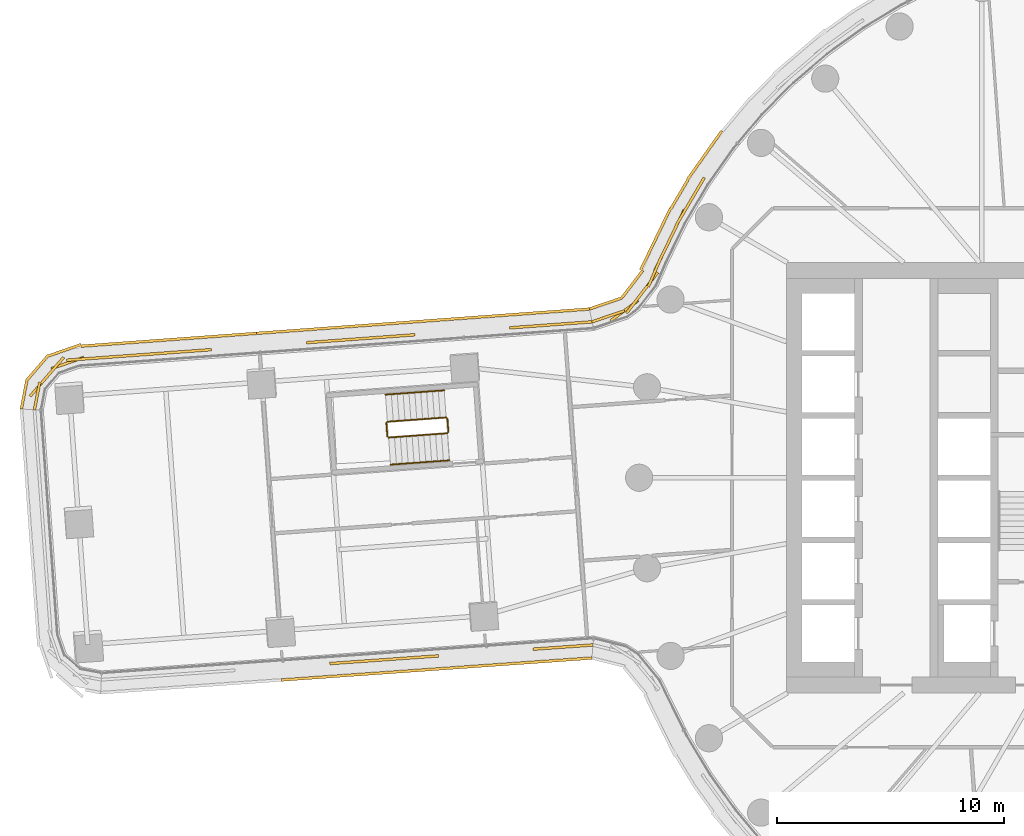
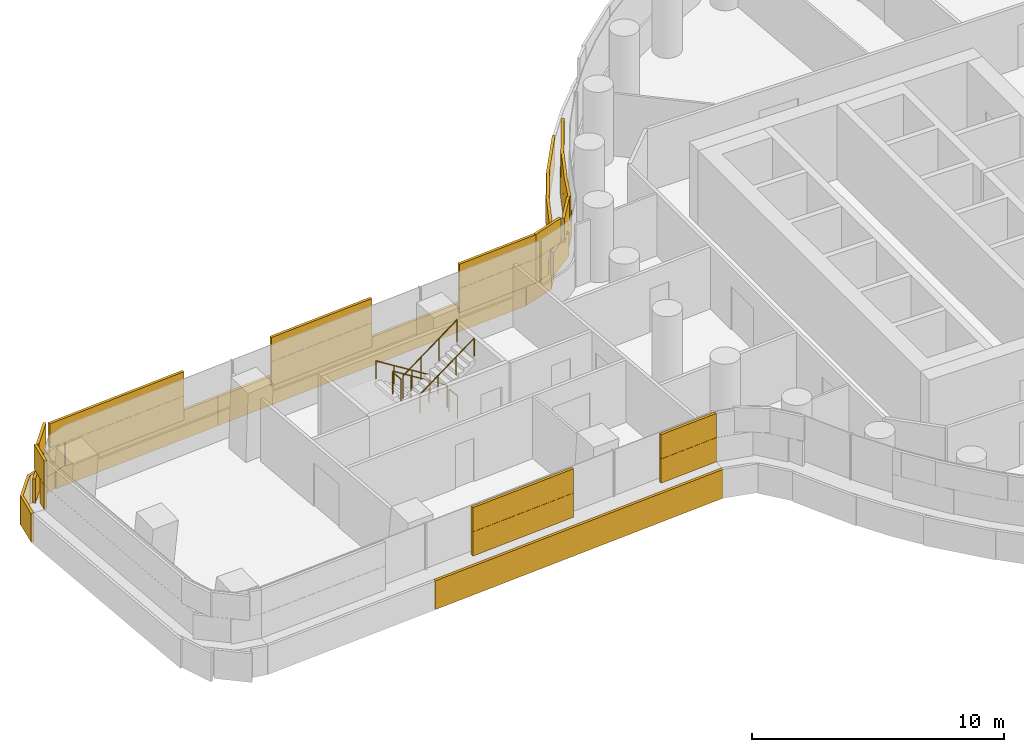
# One storey, part 27 of 31: 6 railings, 4 coverings.
"""IFC4 building model written with IfcOpenShell, lengths in metres."""

from ifc_helpers import new_model, si_unit, direction, frame, origin, origin_2d, place, context, subcontext, project, spatial, rectangle, circle, extrude, material, layer, layer_set, type_object, element, save


model = new_model("IFC4")

# Units and contexts
model_context = context("Model", 3, precision=1e-05, world=origin(), true_north=direction((0.0, 1.0)))
body_context = subcontext(model_context, "Body", "Model", "MODEL_VIEW")
ifc_project = project(units=[si_unit("LENGTHUNIT", "METRE"), si_unit("AREAUNIT", "SQUARE_METRE"), si_unit("VOLUMEUNIT", "CUBIC_METRE"), si_unit("PLANEANGLEUNIT", "RADIAN"), si_unit("MASSUNIT", "GRAM", prefix="KILO")], contexts=[model_context])

# Site, building, storey
site_placement = place(None, origin())
site = spatial("IfcSite", under=ifc_project, at=site_placement, CompositionType="ELEMENT")
building_placement = place(site_placement, origin())
building = spatial("IfcBuilding", under=site, at=building_placement, Name="Tamarind Cross Interchange Tower", CompositionType="ELEMENT")
storey_placement = place(building_placement, frame((0.0, 0.0, 49.0)))
storey = spatial("IfcBuildingStorey", under=building, at=storey_placement, Name="L10", CompositionType="ELEMENT", Elevation=49.0)

# Railings
ifc_material_1 = material(Name="Stair guard")
railing_type_1 = type_object("IfcRailingType", Name="Stair guard", PredefinedType="GUARDRAIL", material=ifc_material_1)
railing_1_placement = place(storey_placement, frame((-31.519287109375, 2.663330078125, 0.17041015625)))
element("IfcRailing", 1, at=railing_1_placement, inside=storey, type_object=railing_type_1, Name="L10 ST5 stair guard 1", PredefinedType="GUARDRAIL", context=body_context, shape_type="SweptSolid", body=[
    extrude(circle(Radius=0.02392578125, at=origin_2d()), frame((0.0, 0.0, 1.076171875), z_axis=(-0.834086614599, -0.060934966384, 0.548257648572), x_axis=(0.072861742749, -0.997342050875, 0.0)), (0.0, 0.0, 1.0), 3.109130859375),
    extrude(circle(Radius=0.02099609375, at=origin_2d()), origin(), (0.0, 0.0, 1.0), 1.052001953125),
    extrude(circle(Radius=0.02099609375, at=origin_2d()), frame((-0.864501953125, -0.063232421875, 0.568115234375)), (0.0, 0.0, 1.0), 1.052001953125),
    extrude(circle(Radius=0.02099609375, at=origin_2d()), frame((-1.728759765625, -0.126220703125, 1.136474609375)), (0.0, 0.0, 1.0), 1.052001953125),
    extrude(circle(Radius=0.02099609375, at=origin_2d()), frame((-2.59326171875, -0.189453125, 1.70458984375)), (0.0, 0.0, 1.0), 1.052001953125),
])
railing_2_placement = place(storey_placement, frame((-34.15869140625, 2.42041015625, 1.875)))
element("IfcRailing", 2, at=railing_2_placement, inside=storey, type_object=railing_type_1, Name="L10 ST5 stair guard 2", PredefinedType="GUARDRAIL", context=body_context, shape_type="SweptSolid", body=[
    extrude(circle(Radius=0.02392578125, at=origin_2d()), frame((0.0, 0.0, 1.076171875), z_axis=(0.072837431648, -0.997343826647, 0.0), x_axis=(0.997343826647, 0.072837431648, 0.0)), (0.0, 0.0, 1.0), 0.60009765625),
    extrude(circle(Radius=0.02099609375, at=origin_2d()), origin(), (0.0, 0.0, 1.0), 1.052001953125),
    extrude(circle(Radius=0.02099609375, at=origin_2d()), frame((0.043701171875, -0.598388671875, 0.0)), (0.0, 0.0, 1.0), 1.052001953125),
])
railing_3_placement = place(storey_placement, frame((-34.0615234375, 1.775634765625, 2.04541015625)))
element("IfcRailing", 3, at=railing_3_placement, inside=storey, type_object=railing_type_1, Name="L10 ST5 stair guard 3", PredefinedType="GUARDRAIL", context=body_context, shape_type="SweptSolid", body=[
    extrude(circle(Radius=0.02392578125, at=origin_2d()), frame((0.0, 0.0, 1.076171875), z_axis=(0.834062717302, 0.060938957596, 0.548293559194), x_axis=(-0.072868566483, 0.997341552337, 0.0)), (0.0, 0.0, 1.0), 3.10888671875),
    extrude(circle(Radius=0.02099609375, at=origin_2d()), origin(), (0.0, 0.0, 1.0), 1.052001953125),
    extrude(circle(Radius=0.02099609375, at=origin_2d()), frame((0.8642578125, 0.063232421875, 0.568115234375)), (0.0, 0.0, 1.0), 1.052001953125),
    extrude(circle(Radius=0.02099609375, at=origin_2d()), frame((1.728759765625, 0.126220703125, 1.136474609375)), (0.0, 0.0, 1.0), 1.052001953125),
    extrude(circle(Radius=0.02099609375, at=origin_2d()), frame((2.593017578125, 0.189453125, 1.70458984375)), (0.0, 0.0, 1.0), 1.052001953125),
])
railing_4_placement = place(storey_placement, frame((-31.4658203125, 2.6171875, 0.0)))
element("IfcRailing", 4, at=railing_4_placement, inside=storey, type_object=railing_type_1, Name="L10 ST5 stair guard 4", PredefinedType="GUARDRAIL", context=body_context, shape_type="SweptSolid", body=[
    extrude(circle(Radius=0.02392578125, at=origin_2d()), frame((0.0, 0.0, 1.076171875), z_axis=(0.072837431648, -0.997343826647, 0.0), x_axis=(0.997343826647, 0.072837431648, 0.0)), (0.0, 0.0, 1.0), 0.60009765625),
    extrude(circle(Radius=0.02099609375, at=origin_2d()), origin(), (0.0, 0.0, 1.0), 1.052001953125),
    extrude(circle(Radius=0.02099609375, at=origin_2d()), frame((0.043701171875, -0.598388671875, 0.0)), (0.0, 0.0, 1.0), 1.052001953125),
])
ifc_material_2 = material(Name="Stair handrail")
railing_type_2 = type_object("IfcRailingType", Name="Stair handrail", PredefinedType="HANDRAIL", material=ifc_material_2)
railing_5_placement = place(storey_placement, frame((-31.60693359375, 3.860107421875, 0.17041015625)))
element("IfcRailing", 5, at=railing_5_placement, inside=storey, type_object=railing_type_2, Name="L10 ST5 stair handrail 1", PredefinedType="HANDRAIL", context=body_context, shape_type="SweptSolid", body=[
    extrude(circle(Radius=0.02392578125, at=origin_2d()), frame((0.0, 0.0, 0.8759765625), z_axis=(-0.834062717302, -0.060938957596, 0.548293559194), x_axis=(0.072868566483, -0.997341552337, 0.0)), (0.0, 0.0, 1.0), 3.10888671875),
    extrude(circle(Radius=0.02099609375, at=origin_2d()), origin(), (0.0, 0.0, 1.0), 0.851806640625),
    extrude(circle(Radius=0.02099609375, at=origin_2d()), frame((-0.8642578125, -0.063232421875, 0.568115234375)), (0.0, 0.0, 1.0), 0.851806640625),
    extrude(circle(Radius=0.02099609375, at=origin_2d()), frame((-1.728759765625, -0.126220703125, 1.136474609375)), (0.0, 0.0, 1.0), 0.851806640625),
    extrude(circle(Radius=0.02099609375, at=origin_2d()), frame((-2.593017578125, -0.189453125, 1.70458984375)), (0.0, 0.0, 1.0), 0.851806640625),
])
railing_6_placement = place(storey_placement, frame((-33.97412109375, 0.578857421875, 2.04541015625)))
element("IfcRailing", 6, at=railing_6_placement, inside=storey, type_object=railing_type_2, Name="L10 ST5 stair handrail 2", PredefinedType="HANDRAIL", context=body_context, shape_type="SweptSolid", body=[
    extrude(circle(Radius=0.02392578125, at=origin_2d()), frame((0.0, 0.0, 0.8759765625), z_axis=(0.834086614599, 0.060934966384, 0.548257648572), x_axis=(-0.072861742749, 0.997342050875, 0.0)), (0.0, 0.0, 1.0), 3.109130859375),
    extrude(circle(Radius=0.02099609375, at=origin_2d()), origin(), (0.0, 0.0, 1.0), 0.851806640625),
    extrude(circle(Radius=0.02099609375, at=origin_2d()), frame((0.864501953125, 0.063232421875, 0.568115234375)), (0.0, 0.0, 1.0), 0.851806640625),
    extrude(circle(Radius=0.02099609375, at=origin_2d()), frame((1.728759765625, 0.126220703125, 1.136474609375)), (0.0, 0.0, 1.0), 0.851806640625),
    extrude(circle(Radius=0.02099609375, at=origin_2d()), frame((2.59326171875, 0.189453125, 1.70458984375)), (0.0, 0.0, 1.0), 0.851806640625),
])

# Coverings
ifc_material_3 = material(Name="Terracotta", Category="masonry")
ifc_layer = layer(ifc_material_3, 0.1201171875)
ifc_layer_set = layer_set([ifc_layer], Name="Terracotta")
covering_type = type_object("IfcCoveringType", Name="Terracotta baguette screen unit", PredefinedType="MOLDING", material=ifc_layer_set)
covering_1_placement = place(storey_placement, origin())
element("IfcCovering", 7, at=covering_1_placement, inside=storey, type_object=covering_type, Name="SCR-L10-02-01", PredefinedType="MOLDING", context=body_context, shape_type="SweptSolid", body=[
    extrude(rectangle(XDim=1.52001953125, YDim=0.1201171875, at=origin_2d()), frame((-20.592041015625, 12.45751953125, 1.404052734375), z_axis=(0.0, 0.0, 1.0), x_axis=(-0.508183308752, -0.861248933065, 0.0)), (0.0, 0.0, 1.0), 1.1669921875),
    extrude(rectangle(XDim=1.52001953125, YDim=0.1201171875, at=origin_2d()), frame((-21.336669921875, 11.15625, 1.404052734375), z_axis=(0.0, 0.0, 1.0), x_axis=(-0.435326231914, -0.900272776334, 0.0)), (0.0, 0.0, 1.0), 1.1669921875),
    extrude(rectangle(XDim=1.52001953125, YDim=0.1201171875, at=origin_2d()), frame((-21.98974609375, 9.8056640625, 1.404052734375), z_axis=(0.0, 0.0, 1.0), x_axis=(-0.435326231914, -0.900272776334, 0.0)), (0.0, 0.0, 1.0), 1.1669921875),
    extrude(rectangle(XDim=1.52001953125, YDim=0.1201171875, at=origin_2d()), frame((-22.643798828125, 8.4619140625, 1.404052734375), z_axis=(0.0, 0.0, 1.0), x_axis=(-0.607958596282, -0.793968730623, 0.0)), (0.0, 0.0, 1.0), 1.1669921875),
    extrude(rectangle(XDim=1.52001953125, YDim=0.1201171875, at=origin_2d()), frame((-23.655517578125, 7.37255859375, 1.404052734375), z_axis=(0.0, 0.0, 1.0), x_axis=(-0.804565299135, -0.593864192747, 0.0)), (0.0, 0.0, 1.0), 1.1669921875),
    extrude(rectangle(XDim=0.764404296875, YDim=0.1201171875, at=origin_2d()), frame((-24.720703125, 7.005859375, 1.404052734375), z_axis=(0.0, 0.0, 1.0), x_axis=(-0.946488313927, -0.322738085139, 0.0)), (0.0, 0.0, 1.0), 1.1669921875),
    extrude(rectangle(XDim=0.924072265625, YDim=0.1201171875, at=origin_2d()), frame((-20.359619140625, 12.85107421875, 2.5791015625), z_axis=(0.0, 0.0, 1.0), x_axis=(-0.508183308752, -0.861248933065, 0.0)), (0.0, 0.0, 1.0), 1.1669921875),
    extrude(rectangle(XDim=1.52001953125, YDim=0.1201171875, at=origin_2d()), frame((-20.97314453125, 11.8115234375, 2.5791015625), z_axis=(0.0, 0.0, 1.0), x_axis=(-0.508183308752, -0.861248933065, 0.0)), (0.0, 0.0, 1.0), 1.1669921875),
    extrude(rectangle(XDim=1.52001953125, YDim=0.1201171875, at=origin_2d()), frame((-21.663330078125, 10.48095703125, 2.5791015625), z_axis=(0.0, 0.0, 1.0), x_axis=(-0.435326231914, -0.900272776334, 0.0)), (0.0, 0.0, 1.0), 1.1669921875),
    extrude(rectangle(XDim=1.52001953125, YDim=0.1201171875, at=origin_2d()), frame((-22.2978515625, 9.1220703125, 2.5791015625), z_axis=(0.0, 0.0, 1.0), x_axis=(-0.39848186102, -0.917176213406, 0.0)), (0.0, 0.0, 1.0), 1.1669921875),
    extrude(rectangle(XDim=1.52001953125, YDim=0.1201171875, at=origin_2d()), frame((-23.099853515625, 7.866455078125, 2.5791015625), z_axis=(0.0, 0.0, 1.0), x_axis=(-0.607958596282, -0.793968730623, 0.0)), (0.0, 0.0, 1.0), 1.1669921875),
    extrude(rectangle(XDim=1.52001953125, YDim=0.1201171875, at=origin_2d()), frame((-24.36376953125, 7.12744140625, 2.5791015625), z_axis=(0.0, 0.0, 1.0), x_axis=(-0.946488313927, -0.322738085139, 0.0)), (0.0, 0.0, 1.0), 1.1669921875),
    extrude(rectangle(XDim=1.11279296875, YDim=0.1201171875, at=origin_2d()), frame((-19.674072265625, 14.853271484375, 0.00390625), z_axis=(0.0, 0.0, 1.0), x_axis=(-0.577568978284, -0.816341886298, 0.0)), (0.0, 0.0, 1.0), 1.39208984375),
    extrude(rectangle(XDim=1.52001953125, YDim=0.1201171875, at=origin_2d()), frame((-20.422607421875, 13.794921875, 0.00390625), z_axis=(0.0, 0.0, 1.0), x_axis=(-0.577568978284, -0.816341886298, 0.0)), (0.0, 0.0, 1.0), 1.39208984375),
    extrude(rectangle(XDim=1.52001953125, YDim=0.1201171875, at=origin_2d()), frame((-21.218505859375, 12.52490234375, 0.00390625), z_axis=(0.0, 0.0, 1.0), x_axis=(-0.508183308752, -0.861248933065, 0.0)), (0.0, 0.0, 1.0), 1.39208984375),
    extrude(rectangle(XDim=1.52001953125, YDim=0.1201171875, at=origin_2d()), frame((-21.946044921875, 11.21435546875, 0.00390625), z_axis=(0.0, 0.0, 1.0), x_axis=(-0.435326231914, -0.900272776334, 0.0)), (0.0, 0.0, 1.0), 1.39208984375),
    extrude(rectangle(XDim=1.52001953125, YDim=0.1201171875, at=origin_2d()), frame((-22.59912109375, 9.864013671875, 0.00390625), z_axis=(0.0, 0.0, 1.0), x_axis=(-0.435326231914, -0.900272776334, 0.0)), (0.0, 0.0, 1.0), 1.39208984375),
    extrude(rectangle(XDim=1.52001953125, YDim=0.1201171875, at=origin_2d()), frame((-23.30029296875, 8.548828125, 0.00390625), z_axis=(0.0, 0.0, 1.0), x_axis=(-0.607958596282, -0.793968730623, 0.0)), (0.0, 0.0, 1.0), 1.39208984375),
    extrude(rectangle(XDim=1.52001953125, YDim=0.1201171875, at=origin_2d()), frame((-24.473876953125, 7.696533203125, 0.00390625), z_axis=(0.0, 0.0, 1.0), x_axis=(-0.946488313927, -0.322738085139, 0.0)), (0.0, 0.0, 1.0), 1.39208984375),
])
covering_2_placement = place(storey_placement, origin())
element("IfcCovering", 8, at=covering_2_placement, inside=storey, type_object=covering_type, Name="SCR-L10-03-00", PredefinedType="MOLDING", context=body_context, shape_type="SweptSolid", body=[
    extrude(rectangle(XDim=1.510009765625, YDim=0.1201171875, at=origin_2d()), frame((-25.82568359375, 6.829345703125, 1.404052734375), z_axis=(0.0, 0.0, 1.0), x_axis=(-0.997340999058, -0.072876138746, 0.0)), (0.0, 0.0, 1.0), 1.1669921875),
    extrude(rectangle(XDim=1.52001953125, YDim=0.1201171875, at=origin_2d()), frame((-27.32177734375, 6.719970703125, 1.404052734375), z_axis=(0.0, 0.0, 1.0), x_axis=(-0.997340999058, -0.072876138746, 0.0)), (0.0, 0.0, 1.0), 1.1669921875),
    extrude(rectangle(XDim=0.65380859375, YDim=0.1201171875, at=origin_2d()), frame((-28.390869140625, 6.641845703125, 1.404052734375), z_axis=(0.0, 0.0, 1.0), x_axis=(-0.997340999058, -0.072876138746, 0.0)), (0.0, 0.0, 1.0), 1.1669921875),
    extrude(rectangle(XDim=1.166259765625, YDim=0.1201171875, at=origin_2d()), frame((-33.477294921875, 6.270263671875, 1.404052734375), z_axis=(0.0, 0.0, 1.0), x_axis=(-0.997340999058, -0.072876138746, 0.0)), (0.0, 0.0, 1.0), 1.1669921875),
    extrude(rectangle(XDim=1.52001953125, YDim=0.1201171875, at=origin_2d()), frame((-34.8017578125, 6.173583984375, 1.404052734375), z_axis=(0.0, 0.0, 1.0), x_axis=(-0.997340999058, -0.072876138746, 0.0)), (0.0, 0.0, 1.0), 1.1669921875),
    extrude(rectangle(XDim=1.52001953125, YDim=0.1201171875, at=origin_2d()), frame((-36.2978515625, 6.064208984375, 1.404052734375), z_axis=(0.0, 0.0, 1.0), x_axis=(-0.997340999058, -0.072876138746, 0.0)), (0.0, 0.0, 1.0), 1.1669921875),
    extrude(rectangle(XDim=0.65380859375, YDim=0.1201171875, at=origin_2d()), frame((-37.366943359375, 5.986083984375, 1.404052734375), z_axis=(0.0, 0.0, 1.0), x_axis=(-0.997340999058, -0.072876138746, 0.0)), (0.0, 0.0, 1.0), 1.1669921875),
    extrude(rectangle(XDim=0.760009765625, YDim=0.1201171875, at=origin_2d()), frame((-25.45166015625, 6.856689453125, 2.5791015625), z_axis=(0.0, 0.0, 1.0), x_axis=(-0.997340999058, -0.072876138746, 0.0)), (0.0, 0.0, 1.0), 1.1669921875),
    extrude(rectangle(XDim=1.52001953125, YDim=0.1201171875, at=origin_2d()), frame((-26.57373046875, 6.774658203125, 2.5791015625), z_axis=(0.0, 0.0, 1.0), x_axis=(-0.997340999058, -0.072876138746, 0.0)), (0.0, 0.0, 1.0), 1.1669921875),
    extrude(rectangle(XDim=1.40380859375, YDim=0.1201171875, at=origin_2d()), frame((-28.016845703125, 6.669189453125, 2.5791015625), z_axis=(0.0, 0.0, 1.0), x_axis=(-0.997340999058, -0.072876138746, 0.0)), (0.0, 0.0, 1.0), 1.1669921875),
    extrude(rectangle(XDim=0.416259765625, YDim=0.1201171875, at=origin_2d()), frame((-33.103271484375, 6.297607421875, 2.5791015625), z_axis=(0.0, 0.0, 1.0), x_axis=(-0.997340999058, -0.072876138746, 0.0)), (0.0, 0.0, 1.0), 1.1669921875),
    extrude(rectangle(XDim=1.52001953125, YDim=0.1201171875, at=origin_2d()), frame((-34.053955078125, 6.22802734375, 2.5791015625), z_axis=(0.0, 0.0, 1.0), x_axis=(-0.997340999058, -0.072876138746, 0.0)), (0.0, 0.0, 1.0), 1.1669921875),
    extrude(rectangle(XDim=1.52001953125, YDim=0.1201171875, at=origin_2d()), frame((-35.5498046875, 6.118896484375, 2.5791015625), z_axis=(0.0, 0.0, 1.0), x_axis=(-0.997340999058, -0.072876138746, 0.0)), (0.0, 0.0, 1.0), 1.1669921875),
    extrude(rectangle(XDim=1.40380859375, YDim=0.1201171875, at=origin_2d()), frame((-36.992919921875, 6.013427734375, 2.5791015625), z_axis=(0.0, 0.0, 1.0), x_axis=(-0.997340999058, -0.072876138746, 0.0)), (0.0, 0.0, 1.0), 1.1669921875),
    extrude(rectangle(XDim=1.510009765625, YDim=0.1201171875, at=origin_2d()), frame((-25.9462890625, 7.39599609375, 0.00390625), z_axis=(0.0, 0.0, 1.0), x_axis=(-0.997340999058, -0.072876138746, 0.0)), (0.0, 0.0, 1.0), 1.39208984375),
    extrude(rectangle(XDim=1.52001953125, YDim=0.1201171875, at=origin_2d()), frame((-27.437255859375, 7.287109375, 0.00390625), z_axis=(0.0, 0.0, 1.0), x_axis=(-0.997340999058, -0.072876138746, 0.0)), (0.0, 0.0, 1.0), 1.39208984375),
    extrude(rectangle(XDim=1.52001953125, YDim=0.1201171875, at=origin_2d()), frame((-28.93310546875, 7.177734375, 0.00390625), z_axis=(0.0, 0.0, 1.0), x_axis=(-0.997340999058, -0.072876138746, 0.0)), (0.0, 0.0, 1.0), 1.39208984375),
    extrude(rectangle(XDim=1.52001953125, YDim=0.1201171875, at=origin_2d()), frame((-30.42919921875, 7.068603515625, 0.00390625), z_axis=(0.0, 0.0, 1.0), x_axis=(-0.997340999058, -0.072876138746, 0.0)), (0.0, 0.0, 1.0), 1.39208984375),
    extrude(rectangle(XDim=1.52001953125, YDim=0.1201171875, at=origin_2d()), frame((-31.92529296875, 6.959228515625, 0.00390625), z_axis=(0.0, 0.0, 1.0), x_axis=(-0.997340999058, -0.072876138746, 0.0)), (0.0, 0.0, 1.0), 1.39208984375),
    extrude(rectangle(XDim=1.52001953125, YDim=0.1201171875, at=origin_2d()), frame((-33.421142578125, 6.849853515625, 0.00390625), z_axis=(0.0, 0.0, 1.0), x_axis=(-0.997340999058, -0.072876138746, 0.0)), (0.0, 0.0, 1.0), 1.39208984375),
    extrude(rectangle(XDim=1.52001953125, YDim=0.1201171875, at=origin_2d()), frame((-34.917236328125, 6.740478515625, 0.00390625), z_axis=(0.0, 0.0, 1.0), x_axis=(-0.997340999058, -0.072876138746, 0.0)), (0.0, 0.0, 1.0), 1.39208984375),
    extrude(rectangle(XDim=1.52001953125, YDim=0.1201171875, at=origin_2d()), frame((-36.413330078125, 6.63134765625, 0.00390625), z_axis=(0.0, 0.0, 1.0), x_axis=(-0.997340999058, -0.072876138746, 0.0)), (0.0, 0.0, 1.0), 1.39208984375),
    extrude(rectangle(XDim=1.52001953125, YDim=0.1201171875, at=origin_2d()), frame((-37.9091796875, 6.52197265625, 0.00390625), z_axis=(0.0, 0.0, 1.0), x_axis=(-0.997340999058, -0.072876138746, 0.0)), (0.0, 0.0, 1.0), 1.39208984375),
    extrude(rectangle(XDim=1.2548828125, YDim=0.1201171875, at=origin_2d()), frame((-39.273193359375, 6.42236328125, 0.00390625), z_axis=(0.0, 0.0, 1.0), x_axis=(-0.997340999058, -0.072876138746, 0.0)), (0.0, 0.0, 1.0), 1.39208984375),
])
covering_3_placement = place(storey_placement, origin())
element("IfcCovering", 9, at=covering_3_placement, inside=storey, type_object=covering_type, Name="SCR-L10-03-01", PredefinedType="MOLDING", context=body_context, shape_type="SweptSolid", body=[
    extrude(rectangle(XDim=1.166259765625, YDim=0.1201171875, at=origin_2d()), frame((-42.453369140625, 5.6142578125, 1.404052734375), z_axis=(0.0, 0.0, 1.0), x_axis=(-0.997340999058, -0.072876138746, 0.0)), (0.0, 0.0, 1.0), 1.1669921875),
    extrude(rectangle(XDim=1.52001953125, YDim=0.1201171875, at=origin_2d()), frame((-43.77783203125, 5.517578125, 1.404052734375), z_axis=(0.0, 0.0, 1.0), x_axis=(-0.997340999058, -0.072876138746, 0.0)), (0.0, 0.0, 1.0), 1.1669921875),
    extrude(rectangle(XDim=1.52001953125, YDim=0.1201171875, at=origin_2d()), frame((-45.27392578125, 5.408203125, 1.404052734375), z_axis=(0.0, 0.0, 1.0), x_axis=(-0.997340999058, -0.072876138746, 0.0)), (0.0, 0.0, 1.0), 1.1669921875),
    extrude(rectangle(XDim=1.52001953125, YDim=0.1201171875, at=origin_2d()), frame((-46.77001953125, 5.299072265625, 1.404052734375), z_axis=(0.0, 0.0, 1.0), x_axis=(-0.997340999058, -0.072876138746, 0.0)), (0.0, 0.0, 1.0), 1.1669921875),
    extrude(rectangle(XDim=1.52001953125, YDim=0.1201171875, at=origin_2d()), frame((-48.239990234375, 5.0634765625, 1.404052734375), z_axis=(0.0, 0.0, 1.0), x_axis=(-0.944495695966, -0.328523789553, 0.0)), (0.0, 0.0, 1.0), 1.1669921875),
    extrude(rectangle(XDim=1.52001953125, YDim=0.1201171875, at=origin_2d()), frame((-49.388427734375, 4.17578125, 1.404052734375), z_axis=(0.0, 0.0, 1.0), x_axis=(-0.653695371695, -0.756757795483, 0.0)), (0.0, 0.0, 1.0), 1.1669921875),
    extrude(rectangle(XDim=0.49267578125, YDim=0.1201171875, at=origin_2d()), frame((-49.64990234375, 3.238525390625, 1.404052734375), z_axis=(0.0, 0.0, 1.0), x_axis=(-0.187737900482, -0.982219161248, 0.0)), (0.0, 0.0, 1.0), 1.1669921875),
    extrude(rectangle(XDim=0.416259765625, YDim=0.1201171875, at=origin_2d()), frame((-42.079345703125, 5.6416015625, 2.5791015625), z_axis=(0.0, 0.0, 1.0), x_axis=(-0.997340999058, -0.072876138746, 0.0)), (0.0, 0.0, 1.0), 1.1669921875),
    extrude(rectangle(XDim=1.52001953125, YDim=0.1201171875, at=origin_2d()), frame((-43.02978515625, 5.572265625, 2.5791015625), z_axis=(0.0, 0.0, 1.0), x_axis=(-0.997340999058, -0.072876138746, 0.0)), (0.0, 0.0, 1.0), 1.1669921875),
    extrude(rectangle(XDim=1.52001953125, YDim=0.1201171875, at=origin_2d()), frame((-44.52587890625, 5.462890625, 2.5791015625), z_axis=(0.0, 0.0, 1.0), x_axis=(-0.997340999058, -0.072876138746, 0.0)), (0.0, 0.0, 1.0), 1.1669921875),
    extrude(rectangle(XDim=1.52001953125, YDim=0.1201171875, at=origin_2d()), frame((-46.02197265625, 5.353515625, 2.5791015625), z_axis=(0.0, 0.0, 1.0), x_axis=(-0.997340999058, -0.072876138746, 0.0)), (0.0, 0.0, 1.0), 1.1669921875),
    extrude(rectangle(XDim=1.52001953125, YDim=0.1201171875, at=origin_2d()), frame((-47.517822265625, 5.244384765625, 2.5791015625), z_axis=(0.0, 0.0, 1.0), x_axis=(-0.997340999058, -0.072876138746, 0.0)), (0.0, 0.0, 1.0), 1.1669921875),
    extrude(rectangle(XDim=1.52001953125, YDim=0.1201171875, at=origin_2d()), frame((-48.898193359375, 4.743408203125, 2.5791015625), z_axis=(0.0, 0.0, 1.0), x_axis=(-0.653695371695, -0.756757795483, 0.0)), (0.0, 0.0, 1.0), 1.1669921875),
    extrude(rectangle(XDim=1.24267578125, YDim=0.1201171875, at=origin_2d()), frame((-49.579345703125, 3.60693359375, 2.5791015625), z_axis=(0.0, 0.0, 1.0), x_axis=(-0.187737900482, -0.982219161248, 0.0)), (0.0, 0.0, 1.0), 1.1669921875),
    extrude(rectangle(XDim=0.26513671875, YDim=0.1201171875, at=origin_2d()), frame((-40.031005859375, 6.366943359375, 0.00390625), z_axis=(0.0, 0.0, 1.0), x_axis=(-0.997340999058, -0.072876138746, 0.0)), (0.0, 0.0, 1.0), 1.39208984375),
    extrude(rectangle(XDim=1.52001953125, YDim=0.1201171875, at=origin_2d()), frame((-40.9013671875, 6.30322265625, 0.00390625), z_axis=(0.0, 0.0, 1.0), x_axis=(-0.997340999058, -0.072876138746, 0.0)), (0.0, 0.0, 1.0), 1.39208984375),
    extrude(rectangle(XDim=1.52001953125, YDim=0.1201171875, at=origin_2d()), frame((-42.397216796875, 6.194091796875, 0.00390625), z_axis=(0.0, 0.0, 1.0), x_axis=(-0.997340999058, -0.072876138746, 0.0)), (0.0, 0.0, 1.0), 1.39208984375),
    extrude(rectangle(XDim=1.52001953125, YDim=0.1201171875, at=origin_2d()), frame((-43.893310546875, 6.084716796875, 0.00390625), z_axis=(0.0, 0.0, 1.0), x_axis=(-0.997340999058, -0.072876138746, 0.0)), (0.0, 0.0, 1.0), 1.39208984375),
    extrude(rectangle(XDim=1.52001953125, YDim=0.1201171875, at=origin_2d()), frame((-45.389404296875, 5.975341796875, 0.00390625), z_axis=(0.0, 0.0, 1.0), x_axis=(-0.997340999058, -0.072876138746, 0.0)), (0.0, 0.0, 1.0), 1.39208984375),
    extrude(rectangle(XDim=1.52001953125, YDim=0.1201171875, at=origin_2d()), frame((-46.88525390625, 5.865966796875, 0.00390625), z_axis=(0.0, 0.0, 1.0), x_axis=(-0.997340999058, -0.072876138746, 0.0)), (0.0, 0.0, 1.0), 1.39208984375),
    extrude(rectangle(XDim=1.52001953125, YDim=0.1201171875, at=origin_2d()), frame((-48.35546875, 5.631103515625, 0.00390625), z_axis=(0.0, 0.0, 1.0), x_axis=(-0.944495695966, -0.328523789553, 0.0)), (0.0, 0.0, 1.0), 1.39208984375),
    extrude(rectangle(XDim=1.52001953125, YDim=0.1201171875, at=origin_2d()), frame((-49.5712890625, 4.842529296875, 0.00390625), z_axis=(0.0, 0.0, 1.0), x_axis=(-0.653695371695, -0.756757795483, 0.0)), (0.0, 0.0, 1.0), 1.39208984375),
    extrude(rectangle(XDim=1.2607421875, YDim=0.1201171875, at=origin_2d()), frame((-50.15478515625, 3.654296875, 0.00390625), z_axis=(0.0, 0.0, 1.0), x_axis=(-0.187737900482, -0.982219161248, 0.0)), (0.0, 0.0, 1.0), 1.39208984375),
])
covering_4_placement = place(storey_placement, origin())
element("IfcCovering", 10, at=covering_4_placement, inside=storey, type_object=covering_type, Name="SCR-L10-05-01", PredefinedType="MOLDING", context=body_context, shape_type="SweptSolid", body=[
    extrude(rectangle(XDim=0.398193359375, YDim=0.1201171875, at=origin_2d()), frame((-36.46044921875, -8.189208984375, 1.404052734375), z_axis=(0.0, 0.0, 1.0), x_axis=(0.997505146966, 0.070593780008, 0.0)), (0.0, 0.0, 1.0), 1.1669921875),
    extrude(rectangle(XDim=1.52001953125, YDim=0.1201171875, at=origin_2d()), frame((-35.518798828125, -8.12255859375, 1.404052734375), z_axis=(0.0, 0.0, 1.0), x_axis=(0.997505146966, 0.070593780008, 0.0)), (0.0, 0.0, 1.0), 1.1669921875),
    extrude(rectangle(XDim=1.52001953125, YDim=0.1201171875, at=origin_2d()), frame((-34.0224609375, -8.0166015625, 1.404052734375), z_axis=(0.0, 0.0, 1.0), x_axis=(0.997505146966, 0.070593780008, 0.0)), (0.0, 0.0, 1.0), 1.1669921875),
    extrude(rectangle(XDim=1.420654296875, YDim=0.1201171875, at=origin_2d()), frame((-32.57080078125, -7.913818359375, 1.404052734375), z_axis=(0.0, 0.0, 1.0), x_axis=(0.997505146966, 0.070593780008, 0.0)), (0.0, 0.0, 1.0), 1.1669921875),
    extrude(rectangle(XDim=0.3994140625, YDim=0.1201171875, at=origin_2d()), frame((-27.4833984375, -7.553955078125, 1.404052734375), z_axis=(0.0, 0.0, 1.0), x_axis=(0.997505146966, 0.070593780008, 0.0)), (0.0, 0.0, 1.0), 1.1669921875),
    extrude(rectangle(XDim=1.52001953125, YDim=0.1201171875, at=origin_2d()), frame((-26.541259765625, -7.487060546875, 1.404052734375), z_axis=(0.0, 0.0, 1.0), x_axis=(0.997505146966, 0.070593780008, 0.0)), (0.0, 0.0, 1.0), 1.1669921875),
    extrude(rectangle(XDim=0.769287109375, YDim=0.1201171875, at=origin_2d()), frame((-25.414306640625, -7.407470703125, 1.404052734375), z_axis=(0.0, 0.0, 1.0), x_axis=(0.997505146966, 0.070593780008, 0.0)), (0.0, 0.0, 1.0), 1.1669921875),
    extrude(rectangle(XDim=1.148193359375, YDim=0.1201171875, at=origin_2d()), frame((-36.08642578125, -8.16259765625, 2.5791015625), z_axis=(0.0, 0.0, 1.0), x_axis=(0.997505146966, 0.070593780008, 0.0)), (0.0, 0.0, 1.0), 1.1669921875),
    extrude(rectangle(XDim=1.52001953125, YDim=0.1201171875, at=origin_2d()), frame((-34.770751953125, -8.069580078125, 2.5791015625), z_axis=(0.0, 0.0, 1.0), x_axis=(0.997505146966, 0.070593780008, 0.0)), (0.0, 0.0, 1.0), 1.1669921875),
    extrude(rectangle(XDim=1.52001953125, YDim=0.1201171875, at=origin_2d()), frame((-33.2744140625, -7.963623046875, 2.5791015625), z_axis=(0.0, 0.0, 1.0), x_axis=(0.997505146966, 0.070593780008, 0.0)), (0.0, 0.0, 1.0), 1.1669921875),
    extrude(rectangle(XDim=0.670654296875, YDim=0.1201171875, at=origin_2d()), frame((-32.19677734375, -7.887451171875, 2.5791015625), z_axis=(0.0, 0.0, 1.0), x_axis=(0.997505146966, 0.070593780008, 0.0)), (0.0, 0.0, 1.0), 1.1669921875),
    extrude(rectangle(XDim=1.1494140625, YDim=0.1201171875, at=origin_2d()), frame((-27.109375, -7.52734375, 2.5791015625), z_axis=(0.0, 0.0, 1.0), x_axis=(0.997505146966, 0.070593780008, 0.0)), (0.0, 0.0, 1.0), 1.1669921875),
    extrude(rectangle(XDim=1.52001953125, YDim=0.1201171875, at=origin_2d()), frame((-25.79296875, -7.434326171875, 2.5791015625), z_axis=(0.0, 0.0, 1.0), x_axis=(0.997505146966, 0.070593780008, 0.0)), (0.0, 0.0, 1.0), 1.1669921875),
    extrude(rectangle(XDim=1.00439453125, YDim=0.1201171875, at=origin_2d()), frame((-38.288330078125, -8.89404296875, 0.00390625), z_axis=(0.0, 0.0, 1.0), x_axis=(0.997505146966, 0.070593780008, 0.0)), (0.0, 0.0, 1.0), 1.39208984375),
    extrude(rectangle(XDim=1.52001953125, YDim=0.1201171875, at=origin_2d()), frame((-37.04931640625, -8.80615234375, 0.00390625), z_axis=(0.0, 0.0, 1.0), x_axis=(0.997505146966, 0.070593780008, 0.0)), (0.0, 0.0, 1.0), 1.39208984375),
    extrude(rectangle(XDim=1.52001953125, YDim=0.1201171875, at=origin_2d()), frame((-35.552978515625, -8.700439453125, 0.00390625), z_axis=(0.0, 0.0, 1.0), x_axis=(0.997505146966, 0.070593780008, 0.0)), (0.0, 0.0, 1.0), 1.39208984375),
    extrude(rectangle(XDim=1.52001953125, YDim=0.1201171875, at=origin_2d()), frame((-34.056640625, -8.594482421875, 0.00390625), z_axis=(0.0, 0.0, 1.0), x_axis=(0.997505146966, 0.070593780008, 0.0)), (0.0, 0.0, 1.0), 1.39208984375),
    extrude(rectangle(XDim=1.52001953125, YDim=0.1201171875, at=origin_2d()), frame((-32.560546875, -8.488525390625, 0.00390625), z_axis=(0.0, 0.0, 1.0), x_axis=(0.997505146966, 0.070593780008, 0.0)), (0.0, 0.0, 1.0), 1.39208984375),
    extrude(rectangle(XDim=1.52001953125, YDim=0.1201171875, at=origin_2d()), frame((-31.064208984375, -8.3828125, 0.00390625), z_axis=(0.0, 0.0, 1.0), x_axis=(0.997505146966, 0.070593780008, 0.0)), (0.0, 0.0, 1.0), 1.39208984375),
    extrude(rectangle(XDim=1.52001953125, YDim=0.1201171875, at=origin_2d()), frame((-29.56787109375, -8.27685546875, 0.00390625), z_axis=(0.0, 0.0, 1.0), x_axis=(0.997505146966, 0.070593780008, 0.0)), (0.0, 0.0, 1.0), 1.39208984375),
    extrude(rectangle(XDim=1.52001953125, YDim=0.1201171875, at=origin_2d()), frame((-28.07177734375, -8.1708984375, 0.00390625), z_axis=(0.0, 0.0, 1.0), x_axis=(0.997505146966, 0.070593780008, 0.0)), (0.0, 0.0, 1.0), 1.39208984375),
    extrude(rectangle(XDim=1.52001953125, YDim=0.1201171875, at=origin_2d()), frame((-26.575439453125, -8.06494140625, 0.00390625), z_axis=(0.0, 0.0, 1.0), x_axis=(0.997505146966, 0.070593780008, 0.0)), (0.0, 0.0, 1.0), 1.39208984375),
    extrude(rectangle(XDim=0.752685546875, YDim=0.1201171875, at=origin_2d()), frame((-25.4619140625, -7.986328125, 0.00390625), z_axis=(0.0, 0.0, 1.0), x_axis=(0.997505146966, 0.070593780008, 0.0)), (0.0, 0.0, 1.0), 1.39208984375),
])

save(model, "model.ifc")
